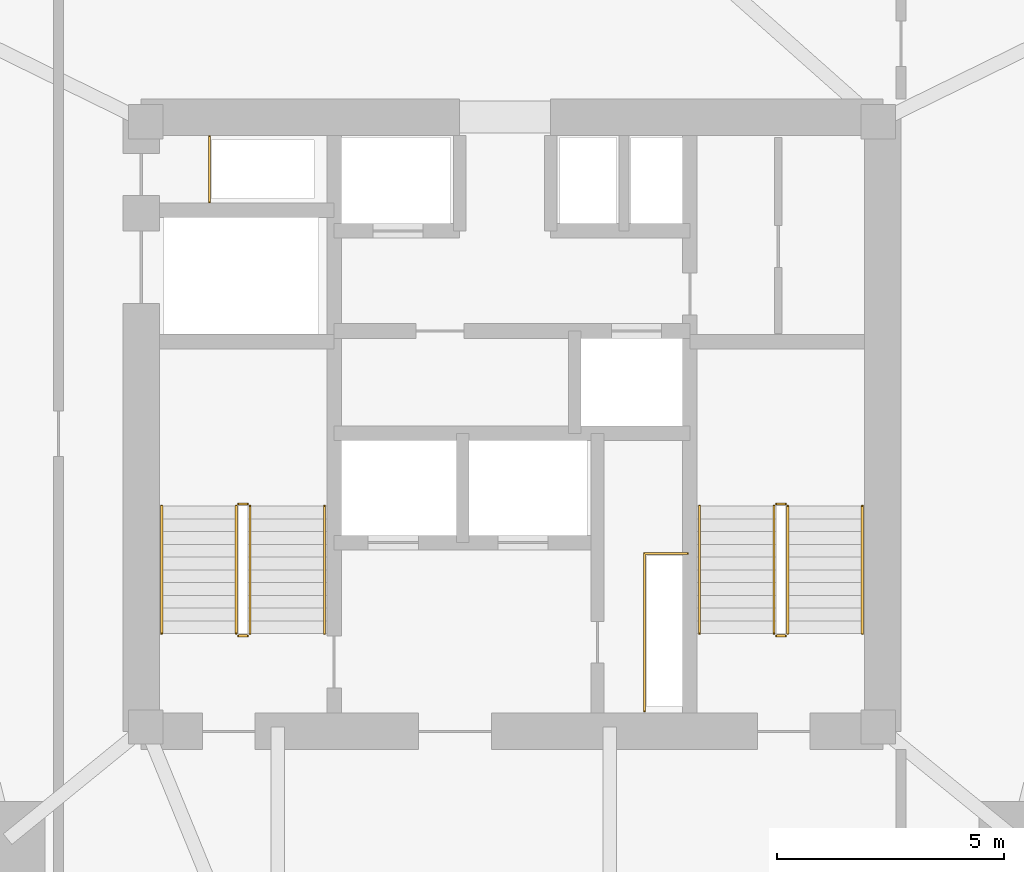
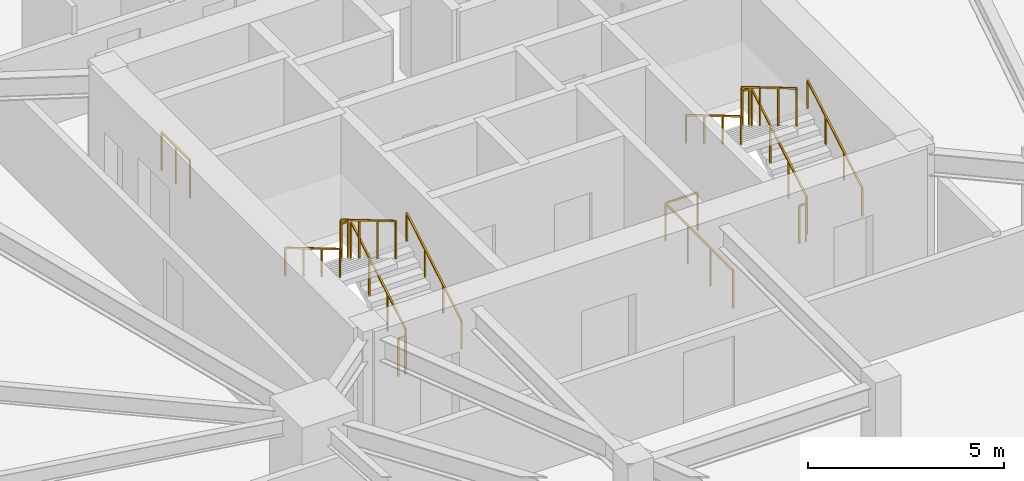
# One storey, part 19 of 19: 14 railings.
"""IFC4 building model written with IfcOpenShell, lengths in metres."""

from ifc_helpers import new_model, si_unit, direction, frame, origin, origin_2d, place, context, subcontext, project, spatial, rectangle, extrude, material, type_object, element, save


model = new_model("IFC4")

# Units and contexts
model_context = context("Model", 3, precision=1e-05, world=origin(), true_north=direction((0.0, 1.0)))
body_context = subcontext(model_context, "Body", "Model", "MODEL_VIEW")
ifc_project = project(units=[si_unit("LENGTHUNIT", "METRE"), si_unit("AREAUNIT", "SQUARE_METRE"), si_unit("VOLUMEUNIT", "CUBIC_METRE"), si_unit("PLANEANGLEUNIT", "RADIAN"), si_unit("MASSUNIT", "GRAM", prefix="KILO")], contexts=[model_context])

# Site, building, storey
site_placement = place(None, origin())
site = spatial("IfcSite", under=ifc_project, at=site_placement, CompositionType="ELEMENT")
building_placement = place(site_placement, origin())
building = spatial("IfcBuilding", under=site, at=building_placement, Name="Talyreon Biosciences Tower", CompositionType="ELEMENT")
storey_placement = place(building_placement, frame((0.0, 0.0, 85.949951171875)))
storey = spatial("IfcBuildingStorey", under=building, at=storey_placement, Name="L22", CompositionType="ELEMENT", Elevation=85.949951171875)

# Railings
ifc_material_1 = material(Name="Brushed stainless-steel tubular handrail", Category="steel")
railing_type_1 = type_object("IfcRailingType", Name="StairWallHandrail_900", PredefinedType="HANDRAIL", material=ifc_material_1)
railing_1_placement = place(storey_placement, frame((61.8798828125, 63.39990234375, 0.166015625)))
element("IfcRailing", 1, at=railing_1_placement, inside=storey, type_object=railing_type_1, Name="L22 ST-1 stair handrail 1", PredefinedType="HANDRAIL", context=body_context, shape_type="SweptSolid", body=[
    extrude(rectangle(XDim=0.048095703125, YDim=0.048095703125, at=origin_2d()), frame((0.0, 0.0, 0.8759765625), z_axis=(0.0, 0.860339051648, 0.50972219513), x_axis=(-1.0, 0.0, 0.0)), (0.0, 0.0, 1.0), 3.254638671875),
    extrude(rectangle(XDim=0.0419921875, YDim=0.0419921875, at=origin_2d()), origin(), (0.0, 0.0, 1.0), 0.851806640625),
    extrude(rectangle(XDim=0.0419921875, YDim=0.0419921875, at=origin_2d()), frame((0.0, 0.933349609375, 0.552978515625)), (0.0, 0.0, 1.0), 0.851806640625),
    extrude(rectangle(XDim=0.0419921875, YDim=0.0419921875, at=origin_2d()), frame((0.0, 1.86669921875, 1.10595703125)), (0.0, 0.0, 1.0), 0.851806640625),
    extrude(rectangle(XDim=0.0419921875, YDim=0.0419921875, at=origin_2d()), frame((0.0, 2.800048828125, 1.658935546875)), (0.0, 0.0, 1.0), 0.851806640625),
])
railing_2_placement = place(storey_placement, frame((58.300048828125, 66.199951171875, 1.990966796875)))
element("IfcRailing", 2, at=railing_2_placement, inside=storey, type_object=railing_type_1, Name="L22 ST-1 stair handrail 2", PredefinedType="HANDRAIL", context=body_context, shape_type="SweptSolid", body=[
    extrude(rectangle(XDim=0.048095703125, YDim=0.048095703125, at=origin_2d()), frame((0.0, 0.0, 0.8759765625), z_axis=(0.0, -0.860306154799, 0.50977771628), x_axis=(1.0, 0.0, 0.0)), (0.0, 0.0, 1.0), 3.254638671875),
    extrude(rectangle(XDim=0.0419921875, YDim=0.0419921875, at=origin_2d()), origin(), (0.0, 0.0, 1.0), 0.851806640625),
    extrude(rectangle(XDim=0.0419921875, YDim=0.0419921875, at=origin_2d()), frame((0.0, -0.933349609375, 0.552978515625)), (0.0, 0.0, 1.0), 0.851806640625),
    extrude(rectangle(XDim=0.0419921875, YDim=0.0419921875, at=origin_2d()), frame((0.0, -1.86669921875, 1.106201171875)), (0.0, 0.0, 1.0), 0.851806640625),
    extrude(rectangle(XDim=0.0419921875, YDim=0.0419921875, at=origin_2d()), frame((0.0, -2.800048828125, 1.6591796875)), (0.0, 0.0, 1.0), 0.851806640625),
])
railing_3_placement = place(storey_placement, frame((73.699951171875, 63.39990234375, 0.166015625)))
element("IfcRailing", 3, at=railing_3_placement, inside=storey, type_object=railing_type_1, Name="L22 ST-2 stair handrail 1", PredefinedType="HANDRAIL", context=body_context, shape_type="SweptSolid", body=[
    extrude(rectangle(XDim=0.048095703125, YDim=0.048095703125, at=origin_2d()), frame((0.0, 0.0, 0.8759765625), z_axis=(0.0, 0.860339051648, 0.50972219513), x_axis=(-1.0, 0.0, 0.0)), (0.0, 0.0, 1.0), 3.254638671875),
    extrude(rectangle(XDim=0.0419921875, YDim=0.0419921875, at=origin_2d()), origin(), (0.0, 0.0, 1.0), 0.851806640625),
    extrude(rectangle(XDim=0.0419921875, YDim=0.0419921875, at=origin_2d()), frame((0.0, 0.933349609375, 0.552978515625)), (0.0, 0.0, 1.0), 0.851806640625),
    extrude(rectangle(XDim=0.0419921875, YDim=0.0419921875, at=origin_2d()), frame((0.0, 1.86669921875, 1.10595703125)), (0.0, 0.0, 1.0), 0.851806640625),
    extrude(rectangle(XDim=0.0419921875, YDim=0.0419921875, at=origin_2d()), frame((0.0, 2.800048828125, 1.658935546875)), (0.0, 0.0, 1.0), 0.851806640625),
])
railing_4_placement = place(storey_placement, frame((70.1201171875, 66.199951171875, 1.990966796875)))
element("IfcRailing", 4, at=railing_4_placement, inside=storey, type_object=railing_type_1, Name="L22 ST-2 stair handrail 2", PredefinedType="HANDRAIL", context=body_context, shape_type="SweptSolid", body=[
    extrude(rectangle(XDim=0.048095703125, YDim=0.048095703125, at=origin_2d()), frame((0.0, 0.0, 0.8759765625), z_axis=(0.0, -0.860306154799, 0.50977771628), x_axis=(1.0, 0.0, 0.0)), (0.0, 0.0, 1.0), 3.254638671875),
    extrude(rectangle(XDim=0.0419921875, YDim=0.0419921875, at=origin_2d()), origin(), (0.0, 0.0, 1.0), 0.851806640625),
    extrude(rectangle(XDim=0.0419921875, YDim=0.0419921875, at=origin_2d()), frame((0.0, -0.933349609375, 0.552978515625)), (0.0, 0.0, 1.0), 0.851806640625),
    extrude(rectangle(XDim=0.0419921875, YDim=0.0419921875, at=origin_2d()), frame((0.0, -1.86669921875, 1.106201171875)), (0.0, 0.0, 1.0), 0.851806640625),
    extrude(rectangle(XDim=0.0419921875, YDim=0.0419921875, at=origin_2d()), frame((0.0, -2.800048828125, 1.6591796875)), (0.0, 0.0, 1.0), 0.851806640625),
])
ifc_material_2 = material(Name="Painted galvanised steel post-and-rail balustrade", Category="steel")
railing_type_2 = type_object("IfcRailingType", Name="TerraceStairGuard_1200", PredefinedType="GUARDRAIL", material=ifc_material_2)
railing_5_placement = place(storey_placement, frame((60.239990234375, 63.39990234375, 0.166015625)))
element("IfcRailing", 5, at=railing_5_placement, inside=storey, type_object=railing_type_2, Name="L22 ST-1 stair guard 1", PredefinedType="GUARDRAIL", context=body_context, shape_type="SweptSolid", body=[
    extrude(rectangle(XDim=0.048095703125, YDim=0.048095703125, at=origin_2d()), frame((0.0, 0.0, 1.17578125), z_axis=(0.0, 0.860339051648, 0.50972219513), x_axis=(-1.0, 0.0, 0.0)), (0.0, 0.0, 1.0), 3.254638671875),
    extrude(rectangle(XDim=0.0419921875, YDim=0.0419921875, at=origin_2d()), origin(), (0.0, 0.0, 1.0), 1.15185546875),
    extrude(rectangle(XDim=0.0419921875, YDim=0.0419921875, at=origin_2d()), frame((0.0, 0.933349609375, 0.552978515625)), (0.0, 0.0, 1.0), 1.15185546875),
    extrude(rectangle(XDim=0.0419921875, YDim=0.0419921875, at=origin_2d()), frame((0.0, 1.86669921875, 1.10595703125)), (0.0, 0.0, 1.0), 1.15185546875),
    extrude(rectangle(XDim=0.0419921875, YDim=0.0419921875, at=origin_2d()), frame((0.0, 2.800048828125, 1.658935546875)), (0.0, 0.0, 1.0), 1.15185546875),
])
railing_6_placement = place(storey_placement, frame((60.18994140625, 66.25, 1.824951171875)))
element("IfcRailing", 6, at=railing_6_placement, inside=storey, type_object=railing_type_2, Name="L22 ST-1 stair guard 2", PredefinedType="GUARDRAIL", context=body_context, shape_type="SweptSolid", body=[
    extrude(rectangle(XDim=0.048095703125, YDim=0.048095703125, at=origin_2d()), frame((0.0, 0.0, 1.17578125), z_axis=(-1.0, 0.0, 0.0), x_axis=(0.0, -1.0, 0.0)), (0.0, 0.0, 1.0), 0.199951171875),
    extrude(rectangle(XDim=0.0419921875, YDim=0.0419921875, at=origin_2d()), origin(), (0.0, 0.0, 1.0), 1.15185546875),
    extrude(rectangle(XDim=0.0419921875, YDim=0.0419921875, at=origin_2d()), frame((-0.199951171875, 0.0, 0.0)), (0.0, 0.0, 1.0), 1.15185546875),
])
railing_7_placement = place(storey_placement, frame((59.93994140625, 66.199951171875, 1.990966796875)))
element("IfcRailing", 7, at=railing_7_placement, inside=storey, type_object=railing_type_2, Name="L22 ST-1 stair guard 3", PredefinedType="GUARDRAIL", context=body_context, shape_type="SweptSolid", body=[
    extrude(rectangle(XDim=0.048095703125, YDim=0.048095703125, at=origin_2d()), frame((0.0, 0.0, 1.17578125), z_axis=(0.0, -0.860306154799, 0.50977771628), x_axis=(1.0, 0.0, 0.0)), (0.0, 0.0, 1.0), 3.254638671875),
    extrude(rectangle(XDim=0.0419921875, YDim=0.0419921875, at=origin_2d()), origin(), (0.0, 0.0, 1.0), 1.15185546875),
    extrude(rectangle(XDim=0.0419921875, YDim=0.0419921875, at=origin_2d()), frame((0.0, -0.933349609375, 0.552978515625)), (0.0, 0.0, 1.0), 1.15185546875),
    extrude(rectangle(XDim=0.0419921875, YDim=0.0419921875, at=origin_2d()), frame((0.0, -1.86669921875, 1.106201171875)), (0.0, 0.0, 1.0), 1.15185546875),
    extrude(rectangle(XDim=0.0419921875, YDim=0.0419921875, at=origin_2d()), frame((0.0, -2.800048828125, 1.6591796875)), (0.0, 0.0, 1.0), 1.15185546875),
])
railing_8_placement = place(storey_placement, frame((60.18994140625, 63.35009765625, 0.0)))
element("IfcRailing", 8, at=railing_8_placement, inside=storey, type_object=railing_type_2, Name="L22 ST-1 stair guard 4", PredefinedType="GUARDRAIL", context=body_context, shape_type="SweptSolid", body=[
    extrude(rectangle(XDim=0.048095703125, YDim=0.048095703125, at=origin_2d()), frame((0.0, 0.0, 1.17578125), z_axis=(-1.0, 0.0, 0.0), x_axis=(0.0, -1.0, 0.0)), (0.0, 0.0, 1.0), 0.199951171875),
    extrude(rectangle(XDim=0.0419921875, YDim=0.0419921875, at=origin_2d()), origin(), (0.0, 0.0, 1.0), 1.15185546875),
    extrude(rectangle(XDim=0.0419921875, YDim=0.0419921875, at=origin_2d()), frame((-0.199951171875, 0.0, 0.0)), (0.0, 0.0, 1.0), 1.15185546875),
])
railing_9_placement = place(storey_placement, frame((72.06005859375, 63.39990234375, 0.166015625)))
element("IfcRailing", 9, at=railing_9_placement, inside=storey, type_object=railing_type_2, Name="L22 ST-2 stair guard 1", PredefinedType="GUARDRAIL", context=body_context, shape_type="SweptSolid", body=[
    extrude(rectangle(XDim=0.048095703125, YDim=0.048095703125, at=origin_2d()), frame((0.0, 0.0, 1.17578125), z_axis=(0.0, 0.860339051648, 0.50972219513), x_axis=(-1.0, 0.0, 0.0)), (0.0, 0.0, 1.0), 3.254638671875),
    extrude(rectangle(XDim=0.0419921875, YDim=0.0419921875, at=origin_2d()), origin(), (0.0, 0.0, 1.0), 1.15185546875),
    extrude(rectangle(XDim=0.0419921875, YDim=0.0419921875, at=origin_2d()), frame((0.0, 0.933349609375, 0.552978515625)), (0.0, 0.0, 1.0), 1.15185546875),
    extrude(rectangle(XDim=0.0419921875, YDim=0.0419921875, at=origin_2d()), frame((0.0, 1.86669921875, 1.10595703125)), (0.0, 0.0, 1.0), 1.15185546875),
    extrude(rectangle(XDim=0.0419921875, YDim=0.0419921875, at=origin_2d()), frame((0.0, 2.800048828125, 1.658935546875)), (0.0, 0.0, 1.0), 1.15185546875),
])
railing_10_placement = place(storey_placement, frame((72.010009765625, 66.25, 1.824951171875)))
element("IfcRailing", 10, at=railing_10_placement, inside=storey, type_object=railing_type_2, Name="L22 ST-2 stair guard 2", PredefinedType="GUARDRAIL", context=body_context, shape_type="SweptSolid", body=[
    extrude(rectangle(XDim=0.048095703125, YDim=0.048095703125, at=origin_2d()), frame((0.0, 0.0, 1.17578125), z_axis=(-1.0, 0.0, 0.0), x_axis=(0.0, -1.0, 0.0)), (0.0, 0.0, 1.0), 0.199951171875),
    extrude(rectangle(XDim=0.0419921875, YDim=0.0419921875, at=origin_2d()), origin(), (0.0, 0.0, 1.0), 1.15185546875),
    extrude(rectangle(XDim=0.0419921875, YDim=0.0419921875, at=origin_2d()), frame((-0.199951171875, 0.0, 0.0)), (0.0, 0.0, 1.0), 1.15185546875),
])
railing_11_placement = place(storey_placement, frame((71.760009765625, 66.199951171875, 1.990966796875)))
element("IfcRailing", 11, at=railing_11_placement, inside=storey, type_object=railing_type_2, Name="L22 ST-2 stair guard 3", PredefinedType="GUARDRAIL", context=body_context, shape_type="SweptSolid", body=[
    extrude(rectangle(XDim=0.048095703125, YDim=0.048095703125, at=origin_2d()), frame((0.0, 0.0, 1.17578125), z_axis=(0.0, -0.860306154799, 0.50977771628), x_axis=(1.0, 0.0, 0.0)), (0.0, 0.0, 1.0), 3.254638671875),
    extrude(rectangle(XDim=0.0419921875, YDim=0.0419921875, at=origin_2d()), origin(), (0.0, 0.0, 1.0), 1.15185546875),
    extrude(rectangle(XDim=0.0419921875, YDim=0.0419921875, at=origin_2d()), frame((0.0, -0.933349609375, 0.552978515625)), (0.0, 0.0, 1.0), 1.15185546875),
    extrude(rectangle(XDim=0.0419921875, YDim=0.0419921875, at=origin_2d()), frame((0.0, -1.86669921875, 1.106201171875)), (0.0, 0.0, 1.0), 1.15185546875),
    extrude(rectangle(XDim=0.0419921875, YDim=0.0419921875, at=origin_2d()), frame((0.0, -2.800048828125, 1.6591796875)), (0.0, 0.0, 1.0), 1.15185546875),
])
railing_12_placement = place(storey_placement, frame((72.010009765625, 63.35009765625, 0.0)))
element("IfcRailing", 12, at=railing_12_placement, inside=storey, type_object=railing_type_2, Name="L22 ST-2 stair guard 4", PredefinedType="GUARDRAIL", context=body_context, shape_type="SweptSolid", body=[
    extrude(rectangle(XDim=0.048095703125, YDim=0.048095703125, at=origin_2d()), frame((0.0, 0.0, 1.17578125), z_axis=(-1.0, 0.0, 0.0), x_axis=(0.0, -1.0, 0.0)), (0.0, 0.0, 1.0), 0.199951171875),
    extrude(rectangle(XDim=0.0419921875, YDim=0.0419921875, at=origin_2d()), origin(), (0.0, 0.0, 1.0), 1.15185546875),
    extrude(rectangle(XDim=0.0419921875, YDim=0.0419921875, at=origin_2d()), frame((-0.199951171875, 0.0, 0.0)), (0.0, 0.0, 1.0), 1.15185546875),
])
railing_13_placement = place(storey_placement, frame((59.35009765625, 72.8798828125, 0.0)))
element("IfcRailing", 13, at=railing_13_placement, inside=storey, type_object=railing_type_2, Name="L22 Exhaust Riser Maintenance Guardrail", PredefinedType="GUARDRAIL", context=body_context, shape_type="SweptSolid", body=[
    extrude(rectangle(XDim=0.048095703125, YDim=0.048095703125, at=origin_2d()), frame((0.0, 0.0, 1.17578125), z_axis=(0.0, 1.0, 0.0), x_axis=(-1.0, 0.0, 0.0)), (0.0, 0.0, 1.0), 1.4501953125),
    extrude(rectangle(XDim=0.0419921875, YDim=0.0419921875, at=origin_2d()), origin(), (0.0, 0.0, 1.0), 1.15185546875),
    extrude(rectangle(XDim=0.0419921875, YDim=0.0419921875, at=origin_2d()), frame((0.0, 0.72509765625, 0.0)), (0.0, 0.0, 1.0), 1.15185546875),
    extrude(rectangle(XDim=0.0419921875, YDim=0.0419921875, at=origin_2d()), frame((0.0, 1.4501953125, 0.0)), (0.0, 0.0, 1.0), 1.15185546875),
])
railing_14_placement = place(storey_placement, frame((68.909912109375, 61.699951171875, 0.0)))
element("IfcRailing", 14, at=railing_14_placement, inside=storey, type_object=railing_type_2, Name="L22 Electrical Riser Maintenance Guardrail", PredefinedType="GUARDRAIL", context=body_context, shape_type="SweptSolid", body=[
    extrude(rectangle(XDim=0.048095703125, YDim=0.048095703125, at=origin_2d()), frame((0.0, 0.0, 1.17578125), z_axis=(0.0, 1.0, 0.0), x_axis=(-1.0, 0.0, 0.0)), (0.0, 0.0, 1.0), 3.4599609375),
    extrude(rectangle(XDim=0.048095703125, YDim=0.048095703125, at=origin_2d()), frame((0.0, 3.4599609375, 1.17578125), z_axis=(1.0, 0.0, 0.0), x_axis=(0.0, 1.0, 0.0)), (0.0, 0.0, 1.0), 0.9501953125),
    extrude(rectangle(XDim=0.0419921875, YDim=0.0419921875, at=origin_2d()), origin(), (0.0, 0.0, 1.0), 1.15185546875),
    extrude(rectangle(XDim=0.0419921875, YDim=0.0419921875, at=origin_2d()), frame((0.0, 1.1533203125, 0.0)), (0.0, 0.0, 1.0), 1.15185546875),
    extrude(rectangle(XDim=0.0419921875, YDim=0.0419921875, at=origin_2d()), frame((0.0, 2.306640625, 0.0)), (0.0, 0.0, 1.0), 1.15185546875),
    extrude(rectangle(XDim=0.0419921875, YDim=0.0419921875, at=origin_2d()), frame((0.0, 3.4599609375, 0.0)), (0.0, 0.0, 1.0), 1.15185546875),
    extrude(rectangle(XDim=0.0419921875, YDim=0.0419921875, at=origin_2d()), frame((0.9501953125, 3.4599609375, 0.0)), (0.0, 0.0, 1.0), 1.15185546875),
])

save(model, "model.ifc")
